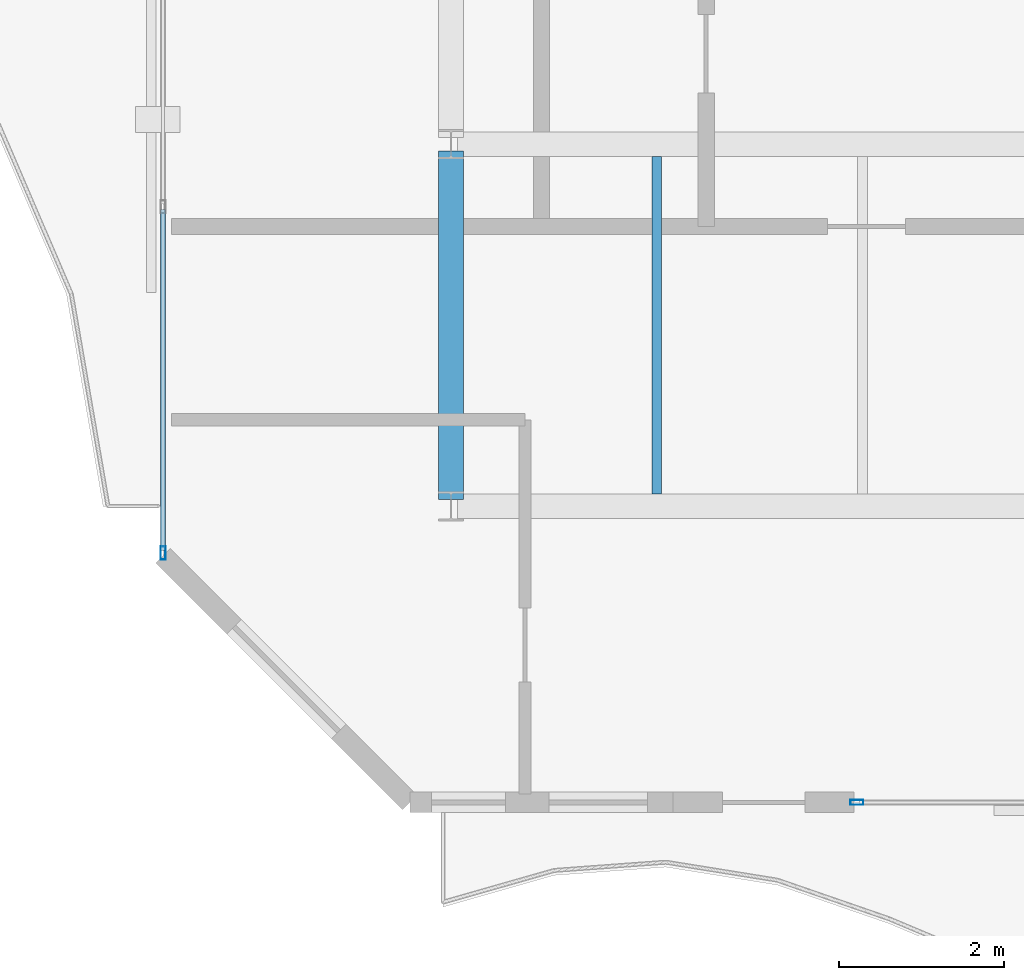
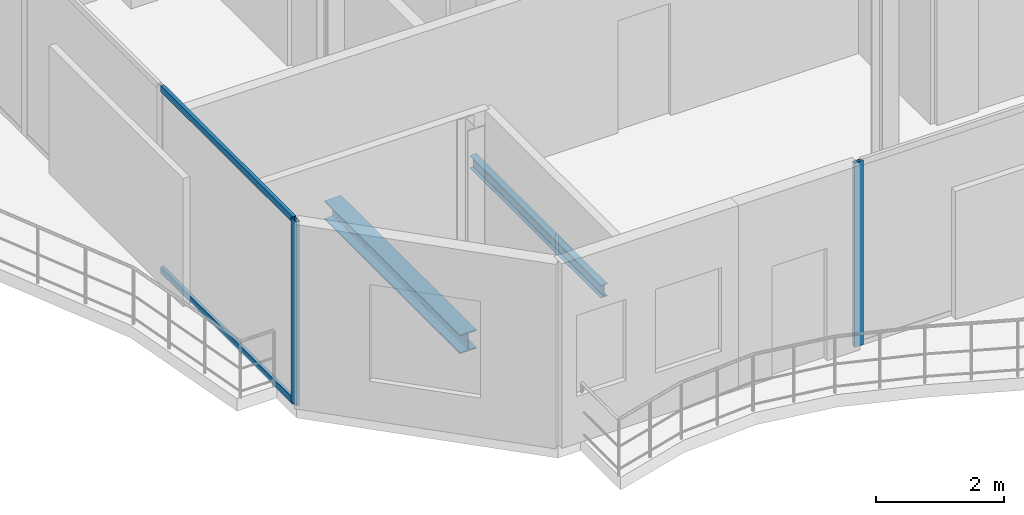
# One storey, part 3 of 23: 4 members, 2 beams, 2 elements without a shape of their own.
"""IFC4 building model written with IfcOpenShell, lengths in metres."""

from ifc_helpers import new_model, si_unit, direction, frame, origin, origin_2d, place, context, subcontext, project, spatial, hollow_rectangle, i_section, extrude, material, layer, layer_set, material_profile, profile_set, type_object, element, aggregate, save


model = new_model("IFC4")

# Units and contexts
model_context = context("Model", 3, precision=1e-05, world=origin(), true_north=direction((0.0, 1.0)))
body_context = subcontext(model_context, "Body", "Model", "MODEL_VIEW")
ifc_project = project(units=[si_unit("LENGTHUNIT", "METRE"), si_unit("AREAUNIT", "SQUARE_METRE"), si_unit("VOLUMEUNIT", "CUBIC_METRE"), si_unit("PLANEANGLEUNIT", "RADIAN"), si_unit("MASSUNIT", "GRAM", prefix="KILO")], contexts=[model_context])

# Site, building, storey
site_placement = place(None, origin())
site = spatial("IfcSite", under=ifc_project, at=site_placement, CompositionType="ELEMENT")
building_placement = place(site_placement, origin())
building = spatial("IfcBuilding", under=site, at=building_placement, Name="Catumbela Crestline Tower", CompositionType="ELEMENT")
storey_placement = place(building_placement, frame((0.0, 0.0, 248.8)))
storey = spatial("IfcBuildingStorey", under=building, at=storey_placement, Name="L64", CompositionType="ELEMENT", Elevation=248.8)

# Beams
ifc_material_1 = material(Name="Structural steel S355J2", Category="steel")
ifc_material_profile_1 = material_profile(ifc_material_1, i_section(OverallWidth=0.3, OverallDepth=0.36, WebThickness=0.0125, FlangeThickness=0.0225, FilletRadius=0.027, at=origin_2d()), Name="HEB 360")
ifc_profile_set_1 = profile_set([ifc_material_profile_1], Name="Structural steel S355J2")
beam_type_1 = type_object("IfcBeamType", Name="BG-HEB360", PredefinedType="BEAM", material=ifc_profile_set_1)
beam_1_placement = place(storey_placement, frame((8.5, 13.68, -0.44), z_axis=(0.0, 1.0, 0.0), x_axis=(-1.0, 0.0, 0.0)))
element("IfcBeam", 1, at=beam_1_placement, inside=storey, type_object=beam_type_1, Name="L64 Beam BM-L64-WNS31", PredefinedType="BEAM", context=body_context, shape_type="SweptSolid", body=[
    extrude(i_section(OverallWidth=0.3, OverallDepth=0.36, WebThickness=0.0125, FlangeThickness=0.0225, FilletRadius=0.027, at=origin_2d()), origin(), (0.0, 0.0, 1.0), 4.24),
])
ifc_material_profile_2 = material_profile(ifc_material_1, i_section(OverallWidth=0.12, OverallDepth=0.24, WebThickness=0.0062, FlangeThickness=0.0098, FilletRadius=0.015, at=origin_2d()), Name="IPE 240")
ifc_profile_set_2 = profile_set([ifc_material_profile_2], Name="Structural steel S355J2")
beam_type_2 = type_object("IfcBeamType", Name="BJ-IPE240", PredefinedType="JOIST", material=ifc_profile_set_2)
beam_2_placement = place(storey_placement, frame((11.0, 13.747, -0.38), z_axis=(0.0, 1.0, 0.0), x_axis=(-1.0, 0.0, 0.0)))
element("IfcBeam", 2, at=beam_2_placement, inside=storey, type_object=beam_type_2, Name="L64 Joist JS-L64-WG36", PredefinedType="JOIST", context=body_context, shape_type="SweptSolid", body=[
    extrude(i_section(OverallWidth=0.12, OverallDepth=0.24, WebThickness=0.0062, FlangeThickness=0.0098, FilletRadius=0.015, at=origin_2d()), origin(), (0.0, 0.0, 1.0), 4.106),
])

# Curtain wall, member
ifc_material_2 = material(Name="Aluminium alloy AW-6060-T66", Category="aluminium")
ifc_layer = layer(ifc_material_2, 0.18, Name="Aluminium alloy AW-6060-T66")
ifc_layer_set = layer_set([ifc_layer], Name="Aluminium alloy AW-6060-T66")
curtain_wall_type = type_object("IfcCurtainWallType", Name="CWU-Z4", PredefinedType="USERDEFINED", material=ifc_layer_set)
curtain_wall_1_placement = place(storey_placement, origin())
curtain_wall_1 = element("IfcCurtainWall", 3, at=curtain_wall_1_placement, inside=storey, type_object=curtain_wall_type, Name="L64 Unitised Curtain Wall CW-L64-E0S2", ObjectType="UNITISED", PredefinedType="USERDEFINED")
ifc_material_profile_3 = material_profile(ifc_material_2, hollow_rectangle(XDim=0.06, YDim=0.16, WallThickness=0.004, at=origin_2d()), Name="ALU 160x60x4")
ifc_profile_set_3 = profile_set([ifc_material_profile_3], Name="Aluminium alloy AW-6060-T66")
member_type_1 = type_object("IfcMemberType", Name="MUL-160X60", PredefinedType="MULLION", material=ifc_profile_set_3)
member_1_placement = place(storey_placement, frame((13.4325, 10.0, 0.0), z_axis=(0.0, 0.0, 1.0), x_axis=(0.0, 1.0, 0.0)))
member_1 = element("IfcMember", 4, at=member_1_placement, type_object=member_type_1, Name="CWU-Z4 mullion 1", PredefinedType="MULLION", context=body_context, shape_type="SweptSolid", body=[
    extrude(hollow_rectangle(XDim=0.06, YDim=0.16, WallThickness=0.004, at=origin_2d()), origin(), (0.0, 0.0, 1.0), 3.53),
])
aggregate(curtain_wall_1, [member_1])

# Curtain wall, members
curtain_wall_2_placement = place(storey_placement, origin())
curtain_wall_2 = element("IfcCurtainWall", 5, at=curtain_wall_2_placement, inside=storey, type_object=curtain_wall_type, Name="L64 Unitised Curtain Wall CW-L64-E9S2", ObjectType="UNITISED", PredefinedType="USERDEFINED")
member_2_placement = place(storey_placement, frame((5.0, 13.0325, 0.0), z_axis=(0.0, 0.0, 1.0), x_axis=(1.0, 0.0, 0.0)))
member_2 = element("IfcMember", 6, at=member_2_placement, type_object=member_type_1, Name="CWU-Z4 mullion 6", PredefinedType="MULLION", context=body_context, shape_type="SweptSolid", body=[
    extrude(hollow_rectangle(XDim=0.06, YDim=0.16, WallThickness=0.004, at=origin_2d()), origin(), (0.0, 0.0, 1.0), 3.53),
])
ifc_material_profile_4 = material_profile(ifc_material_2, hollow_rectangle(XDim=0.06, YDim=0.12, WallThickness=0.0035, at=origin_2d()), Name="ALU 120x60x3.5")
ifc_profile_set_4 = profile_set([ifc_material_profile_4], Name="Aluminium alloy AW-6060-T66")
member_type_2 = type_object("IfcMemberType", Name="TRN-120X60", PredefinedType="USERDEFINED", material=ifc_profile_set_4)
member_3_placement = place(storey_placement, frame((5.0, 17.2075, 0.03), z_axis=(0.0, -1.0, 0.0), x_axis=(1.0, 0.0, 0.0)))
member_3 = element("IfcMember", 7, at=member_3_placement, type_object=member_type_2, Name="CWU-Z4 transom 5.1", ObjectType="TRANSOM", PredefinedType="USERDEFINED", context=body_context, shape_type="SweptSolid", body=[
    extrude(hollow_rectangle(XDim=0.06, YDim=0.12, WallThickness=0.0035, at=origin_2d()), origin(), (0.0, 0.0, 1.0), 4.1425),
])
member_4_placement = place(storey_placement, frame((5.0, 17.2075, 3.5), z_axis=(0.0, -1.0, 0.0), x_axis=(1.0, 0.0, 0.0)))
member_4 = element("IfcMember", 8, at=member_4_placement, type_object=member_type_2, Name="CWU-Z4 transom 5.2", ObjectType="TRANSOM", PredefinedType="USERDEFINED", context=body_context, shape_type="SweptSolid", body=[
    extrude(hollow_rectangle(XDim=0.06, YDim=0.12, WallThickness=0.0035, at=origin_2d()), origin(), (0.0, 0.0, 1.0), 4.1425),
])
aggregate(curtain_wall_2, [member_2, member_3, member_4])

save(model, "model.ifc")
